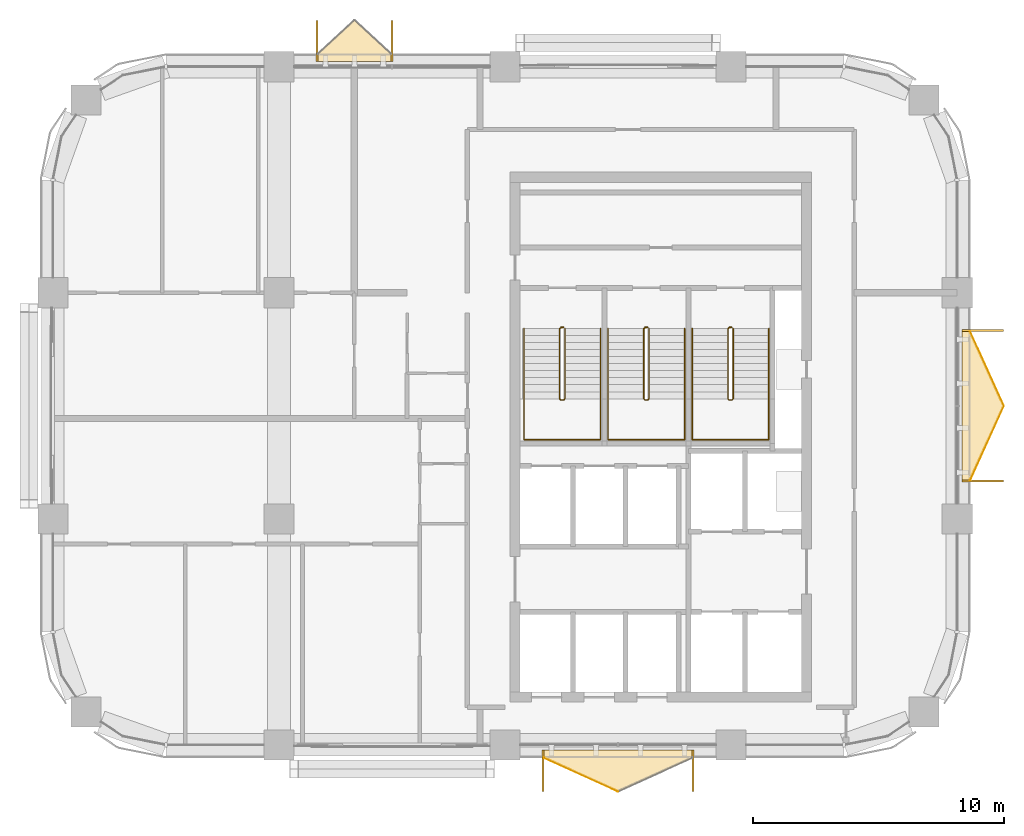
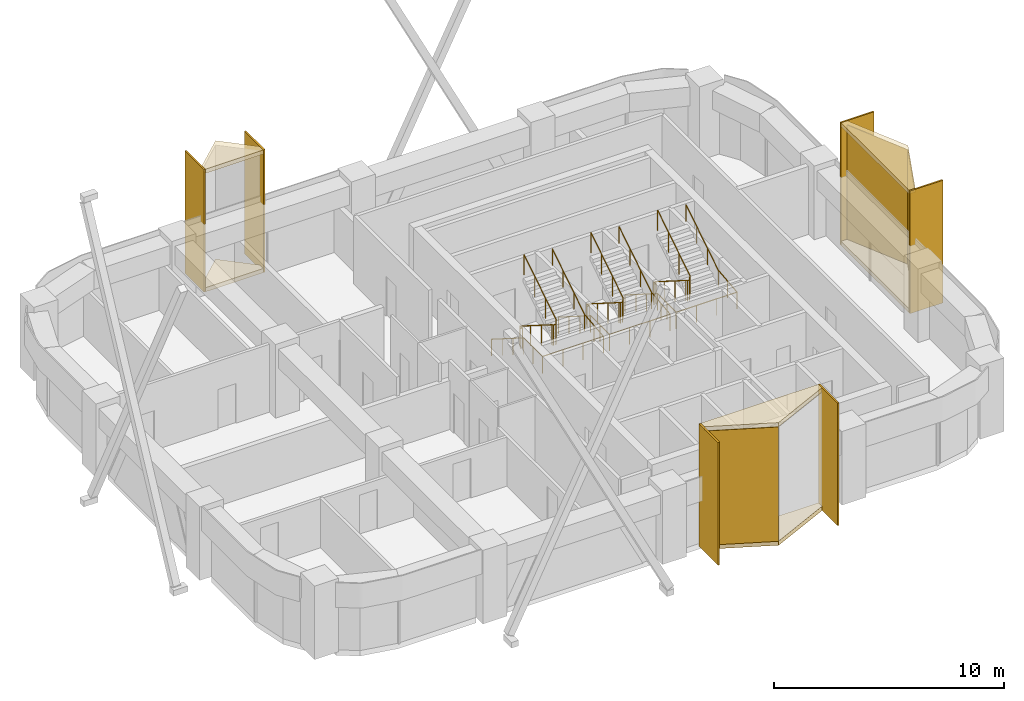
# One storey, part 11 of 11: 15 coverings, 6 railings.
"""IFC4 building model written with IfcOpenShell, lengths in metres."""

from ifc_helpers import new_model, si_unit, direction, frame, origin, origin_2d, place, context, subcontext, project, spatial, polyline, rectangle, circle, outline, extrude, material, layer, layer_set, type_object, element, save


model = new_model("IFC4")

# Units and contexts
model_context = context("Model", 3, precision=1e-05, world=origin(), true_north=direction((0.0, 1.0)))
body_context = subcontext(model_context, "Body", "Model", "MODEL_VIEW")
ifc_project = project(units=[si_unit("LENGTHUNIT", "METRE"), si_unit("AREAUNIT", "SQUARE_METRE"), si_unit("VOLUMEUNIT", "CUBIC_METRE"), si_unit("PLANEANGLEUNIT", "RADIAN"), si_unit("MASSUNIT", "GRAM", prefix="KILO")], contexts=[model_context])

# Site, building, storey
site_placement = place(None, origin())
site = spatial("IfcSite", under=ifc_project, at=site_placement, CompositionType="ELEMENT")
building_placement = place(site_placement, origin())
building = spatial("IfcBuilding", under=site, at=building_placement, Name="Tessera Arch", CompositionType="ELEMENT")
storey_placement = place(building_placement, frame((0.0, 0.0, 250.10009765625)))
storey = spatial("IfcBuildingStorey", under=building, at=storey_placement, Name="L60", CompositionType="ELEMENT", Elevation=250.10009765625)

# Railings
ifc_material_1 = material(Name="Painted steel balustrade", Category="steel")
railing_type_1 = type_object("IfcRailingType", Name="Stair guard 1100", PredefinedType="GUARDRAIL", material=ifc_material_1)
railing_1_placement = place(storey_placement, frame((38.219970703125, 43.6298828125, 0.0)))
element("IfcRailing", 1, at=railing_1_placement, inside=storey, type_object=railing_type_1, Name="L60 S1a stair guard 1", PredefinedType="GUARDRAIL", context=body_context, shape_type="SweptSolid", body=[
    extrude(circle(Radius=0.02392578125, at=origin_2d()), frame((-0.00390625, 0.0, 1.076171875), z_axis=(1.0, 0.0, 0.0), x_axis=(0.0, 1.0, 0.0)), (0.0, 0.0, 1.0), 0.1181640625),
    extrude(circle(Radius=0.02392578125, at=origin_2d()), frame((0.11279296875, 0.000732421875, 1.0732421875), z_axis=(-0.656319048605, -0.204099216335, 0.726353093426), x_axis=(0.296948579431, -0.954893471113, 0.0)), (0.0, 0.0, 1.0), 0.251953125),
    extrude(circle(Radius=0.02392578125, at=origin_2d()), frame((-0.050048828125, -0.04638671875, 1.251220703125), z_axis=(0.0, -0.844908973607, 0.534910110503), x_axis=(1.0, 0.0, 0.0)), (0.0, 0.0, 1.0), 3.322021484375),
    extrude(circle(Radius=0.02392578125, at=origin_2d()), frame((-0.052978515625, -2.846923828125, 3.02587890625), z_axis=(0.707106781187, -0.707106781187, 0.0), x_axis=(0.707106781187, 0.707106781187, 0.0)), (0.0, 0.0, 1.0), 0.078857421875),
    extrude(circle(Radius=0.02392578125, at=origin_2d()), frame((-0.00390625, -2.89990234375, 3.02587890625), z_axis=(1.0, 0.0, 0.0), x_axis=(0.0, 1.0, 0.0)), (0.0, 0.0, 1.0), 0.1181640625),
    extrude(circle(Radius=0.02392578125, at=origin_2d()), frame((0.109130859375, -2.90087890625, 3.022216796875), z_axis=(0.261041864531, 0.262321481514, 0.929001929653), x_axis=(-0.708833529934, 0.705375805398, 0.0)), (0.0, 0.0, 1.0), 0.19873046875),
    extrude(circle(Radius=0.02392578125, at=origin_2d()), frame((0.159912109375, -2.853271484375, 3.201171875), z_axis=(0.0, 0.844908973607, 0.534910110503), x_axis=(-1.0, 0.0, 0.0)), (0.0, 0.0, 1.0), 3.322021484375),
    extrude(circle(Radius=0.02099609375, at=origin_2d()), origin(), (0.0, 0.0, 1.0), 1.06396484375),
    extrude(circle(Radius=0.02099609375, at=origin_2d()), frame((0.110107421875, 0.0, 0.0)), (0.0, 0.0, 1.0), 1.06396484375),
    extrude(circle(Radius=0.02099609375, at=origin_2d()), frame((-0.050048828125, -0.0498046875, 0.17724609375)), (0.0, 0.0, 1.0), 1.06396484375),
    extrude(circle(Radius=0.02099609375, at=origin_2d()), frame((-0.050048828125, -0.983154296875, 0.76806640625)), (0.0, 0.0, 1.0), 1.06396484375),
    extrude(circle(Radius=0.02099609375, at=origin_2d()), frame((-0.050048828125, -1.91650390625, 1.359130859375)), (0.0, 0.0, 1.0), 1.06396484375),
    extrude(circle(Radius=0.02099609375, at=origin_2d()), frame((-0.050048828125, -2.849853515625, 1.949951171875)), (0.0, 0.0, 1.0), 1.06396484375),
    extrude(circle(Radius=0.02099609375, at=origin_2d()), frame((0.0, -2.89990234375, 1.949951171875)), (0.0, 0.0, 1.0), 1.06396484375),
    extrude(circle(Radius=0.02099609375, at=origin_2d()), frame((0.110107421875, -2.89990234375, 1.949951171875)), (0.0, 0.0, 1.0), 1.06396484375),
    extrude(circle(Radius=0.02099609375, at=origin_2d()), frame((0.159912109375, -2.849853515625, 2.127197265625)), (0.0, 0.0, 1.0), 1.06396484375),
    extrude(circle(Radius=0.02099609375, at=origin_2d()), frame((0.159912109375, -1.91650390625, 2.718017578125)), (0.0, 0.0, 1.0), 1.06396484375),
    extrude(circle(Radius=0.02099609375, at=origin_2d()), frame((0.159912109375, -0.983154296875, 3.30908203125)), (0.0, 0.0, 1.0), 1.06396484375),
    extrude(circle(Radius=0.02099609375, at=origin_2d()), frame((0.159912109375, -0.0498046875, 3.89990234375)), (0.0, 0.0, 1.0), 1.06396484375),
])
railing_2_placement = place(storey_placement, frame((41.570068359375, 43.6298828125, 0.0)))
element("IfcRailing", 2, at=railing_2_placement, inside=storey, type_object=railing_type_1, Name="L60 S1b stair guard 1", PredefinedType="GUARDRAIL", context=body_context, shape_type="SweptSolid", body=[
    extrude(circle(Radius=0.02392578125, at=origin_2d()), frame((-0.00390625, 0.0, 1.076171875), z_axis=(1.0, 0.0, 0.0), x_axis=(0.0, 1.0, 0.0)), (0.0, 0.0, 1.0), 0.117919921875),
    extrude(circle(Radius=0.02392578125, at=origin_2d()), frame((0.112548828125, 0.000732421875, 1.0732421875), z_axis=(-0.65574896516, -0.204233265485, 0.726830150696), x_axis=(0.297361876254, -0.954764847777, 0.0)), (0.0, 0.0, 1.0), 0.251953125),
    extrude(circle(Radius=0.02392578125, at=origin_2d()), frame((-0.050048828125, -0.04638671875, 1.251220703125), z_axis=(0.0, -0.844908973607, 0.534910110503), x_axis=(1.0, 0.0, 0.0)), (0.0, 0.0, 1.0), 3.322021484375),
    extrude(circle(Radius=0.02392578125, at=origin_2d()), frame((-0.052978515625, -2.846923828125, 3.02587890625), z_axis=(0.707106781187, -0.707106781187, 0.0), x_axis=(0.707106781187, 0.707106781187, 0.0)), (0.0, 0.0, 1.0), 0.078857421875),
    extrude(circle(Radius=0.02392578125, at=origin_2d()), frame((-0.00390625, -2.89990234375, 3.02587890625), z_axis=(1.0, 0.0, 0.0), x_axis=(0.0, 1.0, 0.0)), (0.0, 0.0, 1.0), 0.117919921875),
    extrude(circle(Radius=0.02392578125, at=origin_2d()), frame((0.10888671875, -2.90087890625, 3.022216796875), z_axis=(0.262233686654, 0.262233686654, 0.928691007369), x_axis=(-0.707106781187, 0.707106781187, 0.0)), (0.0, 0.0, 1.0), 0.198974609375),
    extrude(circle(Radius=0.02392578125, at=origin_2d()), frame((0.159912109375, -2.853271484375, 3.201171875), z_axis=(0.0, 0.844908973607, 0.534910110503), x_axis=(-1.0, 0.0, 0.0)), (0.0, 0.0, 1.0), 3.322021484375),
    extrude(circle(Radius=0.02099609375, at=origin_2d()), origin(), (0.0, 0.0, 1.0), 1.06396484375),
    extrude(circle(Radius=0.02099609375, at=origin_2d()), frame((0.10986328125, 0.0, 0.0)), (0.0, 0.0, 1.0), 1.06396484375),
    extrude(circle(Radius=0.02099609375, at=origin_2d()), frame((-0.050048828125, -0.0498046875, 0.17724609375)), (0.0, 0.0, 1.0), 1.06396484375),
    extrude(circle(Radius=0.02099609375, at=origin_2d()), frame((-0.050048828125, -0.983154296875, 0.76806640625)), (0.0, 0.0, 1.0), 1.06396484375),
    extrude(circle(Radius=0.02099609375, at=origin_2d()), frame((-0.050048828125, -1.91650390625, 1.359130859375)), (0.0, 0.0, 1.0), 1.06396484375),
    extrude(circle(Radius=0.02099609375, at=origin_2d()), frame((-0.050048828125, -2.849853515625, 1.949951171875)), (0.0, 0.0, 1.0), 1.06396484375),
    extrude(circle(Radius=0.02099609375, at=origin_2d()), frame((0.0, -2.89990234375, 1.949951171875)), (0.0, 0.0, 1.0), 1.06396484375),
    extrude(circle(Radius=0.02099609375, at=origin_2d()), frame((0.10986328125, -2.89990234375, 1.949951171875)), (0.0, 0.0, 1.0), 1.06396484375),
    extrude(circle(Radius=0.02099609375, at=origin_2d()), frame((0.159912109375, -2.849853515625, 2.127197265625)), (0.0, 0.0, 1.0), 1.06396484375),
    extrude(circle(Radius=0.02099609375, at=origin_2d()), frame((0.159912109375, -1.91650390625, 2.718017578125)), (0.0, 0.0, 1.0), 1.06396484375),
    extrude(circle(Radius=0.02099609375, at=origin_2d()), frame((0.159912109375, -0.983154296875, 3.30908203125)), (0.0, 0.0, 1.0), 1.06396484375),
    extrude(circle(Radius=0.02099609375, at=origin_2d()), frame((0.159912109375, -0.0498046875, 3.89990234375)), (0.0, 0.0, 1.0), 1.06396484375),
])
railing_3_placement = place(storey_placement, frame((44.919921875, 43.6298828125, 0.0)))
element("IfcRailing", 3, at=railing_3_placement, inside=storey, type_object=railing_type_1, Name="L60 S1c stair guard 1", PredefinedType="GUARDRAIL", context=body_context, shape_type="SweptSolid", body=[
    extrude(circle(Radius=0.02392578125, at=origin_2d()), frame((-0.00390625, 0.0, 1.076171875), z_axis=(1.0, 0.0, 0.0), x_axis=(0.0, 1.0, 0.0)), (0.0, 0.0, 1.0), 0.1181640625),
    extrude(circle(Radius=0.02392578125, at=origin_2d()), frame((0.11279296875, 0.000732421875, 1.0732421875), z_axis=(-0.65574896516, -0.204233265485, 0.726830150696), x_axis=(0.297361876254, -0.954764847777, 0.0)), (0.0, 0.0, 1.0), 0.251953125),
    extrude(circle(Radius=0.02392578125, at=origin_2d()), frame((-0.0498046875, -0.04638671875, 1.251220703125), z_axis=(0.0, -0.844908973607, 0.534910110503), x_axis=(1.0, 0.0, 0.0)), (0.0, 0.0, 1.0), 3.322021484375),
    extrude(circle(Radius=0.02392578125, at=origin_2d()), frame((-0.052734375, -2.846923828125, 3.02587890625), z_axis=(0.705375805398, -0.708833529934, 0.0), x_axis=(0.708833529934, 0.705375805398, 0.0)), (0.0, 0.0, 1.0), 0.07861328125),
    extrude(circle(Radius=0.02392578125, at=origin_2d()), frame((-0.00390625, -2.89990234375, 3.02587890625), z_axis=(1.0, 0.0, 0.0), x_axis=(0.0, 1.0, 0.0)), (0.0, 0.0, 1.0), 0.1181640625),
    extrude(circle(Radius=0.02392578125, at=origin_2d()), frame((0.109130859375, -2.90087890625, 3.022216796875), z_axis=(0.262233686654, 0.262233686654, 0.928691007369), x_axis=(-0.707106781187, 0.707106781187, 0.0)), (0.0, 0.0, 1.0), 0.198974609375),
    extrude(circle(Radius=0.02392578125, at=origin_2d()), frame((0.16015625, -2.853271484375, 3.201171875), z_axis=(0.0, 0.844908973607, 0.534910110503), x_axis=(-1.0, 0.0, 0.0)), (0.0, 0.0, 1.0), 3.322021484375),
    extrude(circle(Radius=0.02099609375, at=origin_2d()), origin(), (0.0, 0.0, 1.0), 1.06396484375),
    extrude(circle(Radius=0.02099609375, at=origin_2d()), frame((0.110107421875, 0.0, 0.0)), (0.0, 0.0, 1.0), 1.06396484375),
    extrude(circle(Radius=0.02099609375, at=origin_2d()), frame((-0.0498046875, -0.0498046875, 0.17724609375)), (0.0, 0.0, 1.0), 1.06396484375),
    extrude(circle(Radius=0.02099609375, at=origin_2d()), frame((-0.0498046875, -0.983154296875, 0.76806640625)), (0.0, 0.0, 1.0), 1.06396484375),
    extrude(circle(Radius=0.02099609375, at=origin_2d()), frame((-0.0498046875, -1.91650390625, 1.359130859375)), (0.0, 0.0, 1.0), 1.06396484375),
    extrude(circle(Radius=0.02099609375, at=origin_2d()), frame((-0.0498046875, -2.849853515625, 1.949951171875)), (0.0, 0.0, 1.0), 1.06396484375),
    extrude(circle(Radius=0.02099609375, at=origin_2d()), frame((0.0, -2.89990234375, 1.949951171875)), (0.0, 0.0, 1.0), 1.06396484375),
    extrude(circle(Radius=0.02099609375, at=origin_2d()), frame((0.110107421875, -2.89990234375, 1.949951171875)), (0.0, 0.0, 1.0), 1.06396484375),
    extrude(circle(Radius=0.02099609375, at=origin_2d()), frame((0.16015625, -2.849853515625, 2.127197265625)), (0.0, 0.0, 1.0), 1.06396484375),
    extrude(circle(Radius=0.02099609375, at=origin_2d()), frame((0.16015625, -1.91650390625, 2.718017578125)), (0.0, 0.0, 1.0), 1.06396484375),
    extrude(circle(Radius=0.02099609375, at=origin_2d()), frame((0.16015625, -0.983154296875, 3.30908203125)), (0.0, 0.0, 1.0), 1.06396484375),
    extrude(circle(Radius=0.02099609375, at=origin_2d()), frame((0.16015625, -0.0498046875, 3.89990234375)), (0.0, 0.0, 1.0), 1.06396484375),
])
ifc_material_2 = material(Name="Painted steel handrail", Category="steel")
railing_type_2 = type_object("IfcRailingType", Name="Stair handrail 900", PredefinedType="HANDRAIL", material=ifc_material_2)
railing_4_placement = place(storey_placement, frame((36.75, 43.580078125, 0.17724609375)))
element("IfcRailing", 4, at=railing_4_placement, inside=storey, type_object=railing_type_2, Name="L60 S1a stair handrail", PredefinedType="HANDRAIL", context=body_context, shape_type="SweptSolid", body=[
    extrude(circle(Radius=0.02392578125, at=origin_2d()), frame((0.0, 0.00341796875, 0.873779296875), z_axis=(0.0, -0.844908973607, 0.534910110503), x_axis=(1.0, 0.0, 0.0)), (0.0, 0.0, 1.0), 3.322021484375),
    extrude(circle(Radius=0.02392578125, at=origin_2d()), frame((0.0, -2.796142578125, 2.6484375), z_axis=(0.0, -1.0, 0.0), x_axis=(1.0, 0.0, 0.0)), (0.0, 0.0, 1.0), 1.63818359375),
    extrude(circle(Radius=0.02392578125, at=origin_2d()), frame((-0.00390625, -4.43017578125, 2.6484375), z_axis=(1.0, 0.0, 0.0), x_axis=(0.0, 1.0, 0.0)), (0.0, 0.0, 1.0), 3.05810546875),
    extrude(circle(Radius=0.02392578125, at=origin_2d()), frame((3.050048828125, -4.43408203125, 2.648193359375), z_axis=(0.0, 0.994140637614, 0.108094369164), x_axis=(-1.0, 0.0, 0.0)), (0.0, 0.0, 1.0), 1.647705078125),
    extrude(circle(Radius=0.02392578125, at=origin_2d()), frame((3.050048828125, -2.803466796875, 2.82373046875), z_axis=(0.0, 0.844908973607, 0.534910110503), x_axis=(-1.0, 0.0, 0.0)), (0.0, 0.0, 1.0), 3.322021484375),
    extrude(circle(Radius=0.02099609375, at=origin_2d()), origin(), (0.0, 0.0, 1.0), 0.86376953125),
    extrude(circle(Radius=0.02099609375, at=origin_2d()), frame((0.0, -0.933349609375, 0.5908203125)), (0.0, 0.0, 1.0), 0.86376953125),
    extrude(circle(Radius=0.02099609375, at=origin_2d()), frame((0.0, -1.86669921875, 1.181884765625)), (0.0, 0.0, 1.0), 0.86376953125),
    extrude(circle(Radius=0.02099609375, at=origin_2d()), frame((0.0, -2.800048828125, 1.772705078125)), (0.0, 0.0, 1.0), 0.86376953125),
    extrude(circle(Radius=0.02099609375, at=origin_2d()), frame((0.0, -3.615234375, 1.772705078125)), (0.0, 0.0, 1.0), 0.86376953125),
    extrude(circle(Radius=0.02099609375, at=origin_2d()), frame((0.0, -4.43017578125, 1.772705078125)), (0.0, 0.0, 1.0), 0.86376953125),
    extrude(circle(Radius=0.02099609375, at=origin_2d()), frame((1.0166015625, -4.43017578125, 1.772705078125)), (0.0, 0.0, 1.0), 0.86376953125),
    extrude(circle(Radius=0.02099609375, at=origin_2d()), frame((2.033447265625, -4.43017578125, 1.772705078125)), (0.0, 0.0, 1.0), 0.86376953125),
    extrude(circle(Radius=0.02099609375, at=origin_2d()), frame((3.050048828125, -4.43017578125, 1.772705078125)), (0.0, 0.0, 1.0), 0.86376953125),
    extrude(circle(Radius=0.02099609375, at=origin_2d()), frame((3.050048828125, -3.615234375, 1.861328125)), (0.0, 0.0, 1.0), 0.86376953125),
    extrude(circle(Radius=0.02099609375, at=origin_2d()), frame((3.050048828125, -2.800048828125, 1.949951171875)), (0.0, 0.0, 1.0), 0.86376953125),
    extrude(circle(Radius=0.02099609375, at=origin_2d()), frame((3.050048828125, -1.86669921875, 2.540771484375)), (0.0, 0.0, 1.0), 0.86376953125),
    extrude(circle(Radius=0.02099609375, at=origin_2d()), frame((3.050048828125, -0.933349609375, 3.1318359375)), (0.0, 0.0, 1.0), 0.86376953125),
    extrude(circle(Radius=0.02099609375, at=origin_2d()), frame((3.050048828125, 0.0, 3.72265625)), (0.0, 0.0, 1.0), 0.86376953125),
])
railing_5_placement = place(storey_placement, frame((40.10009765625, 43.580078125, 0.17724609375)))
element("IfcRailing", 5, at=railing_5_placement, inside=storey, type_object=railing_type_2, Name="L60 S1b stair handrail", PredefinedType="HANDRAIL", context=body_context, shape_type="SweptSolid", body=[
    extrude(circle(Radius=0.02392578125, at=origin_2d()), frame((0.0, 0.00341796875, 0.873779296875), z_axis=(0.0, -0.844908973607, 0.534910110503), x_axis=(1.0, 0.0, 0.0)), (0.0, 0.0, 1.0), 3.322021484375),
    extrude(circle(Radius=0.02392578125, at=origin_2d()), frame((0.0, -2.796142578125, 2.6484375), z_axis=(0.0, -1.0, 0.0), x_axis=(1.0, 0.0, 0.0)), (0.0, 0.0, 1.0), 1.63818359375),
    extrude(circle(Radius=0.02392578125, at=origin_2d()), frame((-0.00390625, -4.43017578125, 2.6484375), z_axis=(1.0, 0.0, 0.0), x_axis=(0.0, 1.0, 0.0)), (0.0, 0.0, 1.0), 3.057861328125),
    extrude(circle(Radius=0.02392578125, at=origin_2d()), frame((3.0498046875, -4.43408203125, 2.648193359375), z_axis=(0.0, 0.994140637614, 0.108094369164), x_axis=(-1.0, 0.0, 0.0)), (0.0, 0.0, 1.0), 1.647705078125),
    extrude(circle(Radius=0.02392578125, at=origin_2d()), frame((3.0498046875, -2.803466796875, 2.82373046875), z_axis=(0.0, 0.844908973607, 0.534910110503), x_axis=(-1.0, 0.0, 0.0)), (0.0, 0.0, 1.0), 3.322021484375),
    extrude(circle(Radius=0.02099609375, at=origin_2d()), origin(), (0.0, 0.0, 1.0), 0.86376953125),
    extrude(circle(Radius=0.02099609375, at=origin_2d()), frame((0.0, -0.933349609375, 0.5908203125)), (0.0, 0.0, 1.0), 0.86376953125),
    extrude(circle(Radius=0.02099609375, at=origin_2d()), frame((0.0, -1.86669921875, 1.181884765625)), (0.0, 0.0, 1.0), 0.86376953125),
    extrude(circle(Radius=0.02099609375, at=origin_2d()), frame((0.0, -2.800048828125, 1.772705078125)), (0.0, 0.0, 1.0), 0.86376953125),
    extrude(circle(Radius=0.02099609375, at=origin_2d()), frame((0.0, -3.615234375, 1.772705078125)), (0.0, 0.0, 1.0), 0.86376953125),
    extrude(circle(Radius=0.02099609375, at=origin_2d()), frame((0.0, -4.43017578125, 1.772705078125)), (0.0, 0.0, 1.0), 0.86376953125),
    extrude(circle(Radius=0.02099609375, at=origin_2d()), frame((1.0166015625, -4.43017578125, 1.772705078125)), (0.0, 0.0, 1.0), 0.86376953125),
    extrude(circle(Radius=0.02099609375, at=origin_2d()), frame((2.033203125, -4.43017578125, 1.772705078125)), (0.0, 0.0, 1.0), 0.86376953125),
    extrude(circle(Radius=0.02099609375, at=origin_2d()), frame((3.0498046875, -4.43017578125, 1.772705078125)), (0.0, 0.0, 1.0), 0.86376953125),
    extrude(circle(Radius=0.02099609375, at=origin_2d()), frame((3.0498046875, -3.615234375, 1.861328125)), (0.0, 0.0, 1.0), 0.86376953125),
    extrude(circle(Radius=0.02099609375, at=origin_2d()), frame((3.0498046875, -2.800048828125, 1.949951171875)), (0.0, 0.0, 1.0), 0.86376953125),
    extrude(circle(Radius=0.02099609375, at=origin_2d()), frame((3.0498046875, -1.86669921875, 2.540771484375)), (0.0, 0.0, 1.0), 0.86376953125),
    extrude(circle(Radius=0.02099609375, at=origin_2d()), frame((3.0498046875, -0.933349609375, 3.1318359375)), (0.0, 0.0, 1.0), 0.86376953125),
    extrude(circle(Radius=0.02099609375, at=origin_2d()), frame((3.0498046875, 0.0, 3.72265625)), (0.0, 0.0, 1.0), 0.86376953125),
])
railing_6_placement = place(storey_placement, frame((43.449951171875, 43.580078125, 0.17724609375)))
element("IfcRailing", 6, at=railing_6_placement, inside=storey, type_object=railing_type_2, Name="L60 S1c stair handrail", PredefinedType="HANDRAIL", context=body_context, shape_type="SweptSolid", body=[
    extrude(circle(Radius=0.02392578125, at=origin_2d()), frame((0.0, 0.00341796875, 0.873779296875), z_axis=(0.0, -0.844908973607, 0.534910110503), x_axis=(1.0, 0.0, 0.0)), (0.0, 0.0, 1.0), 3.322021484375),
    extrude(circle(Radius=0.02392578125, at=origin_2d()), frame((0.0, -2.796142578125, 2.6484375), z_axis=(0.0, -1.0, 0.0), x_axis=(1.0, 0.0, 0.0)), (0.0, 0.0, 1.0), 1.63818359375),
    extrude(circle(Radius=0.02392578125, at=origin_2d()), frame((-0.00390625, -4.43017578125, 2.6484375), z_axis=(1.0, 0.0, 0.0), x_axis=(0.0, 1.0, 0.0)), (0.0, 0.0, 1.0), 3.05810546875),
    extrude(circle(Radius=0.02392578125, at=origin_2d()), frame((3.050048828125, -4.43408203125, 2.648193359375), z_axis=(0.0, 0.994140637614, 0.108094369164), x_axis=(-1.0, 0.0, 0.0)), (0.0, 0.0, 1.0), 1.647705078125),
    extrude(circle(Radius=0.02392578125, at=origin_2d()), frame((3.050048828125, -2.803466796875, 2.82373046875), z_axis=(0.0, 0.844908973607, 0.534910110503), x_axis=(-1.0, 0.0, 0.0)), (0.0, 0.0, 1.0), 3.322021484375),
    extrude(circle(Radius=0.02099609375, at=origin_2d()), origin(), (0.0, 0.0, 1.0), 0.86376953125),
    extrude(circle(Radius=0.02099609375, at=origin_2d()), frame((0.0, -0.933349609375, 0.5908203125)), (0.0, 0.0, 1.0), 0.86376953125),
    extrude(circle(Radius=0.02099609375, at=origin_2d()), frame((0.0, -1.86669921875, 1.181884765625)), (0.0, 0.0, 1.0), 0.86376953125),
    extrude(circle(Radius=0.02099609375, at=origin_2d()), frame((0.0, -2.800048828125, 1.772705078125)), (0.0, 0.0, 1.0), 0.86376953125),
    extrude(circle(Radius=0.02099609375, at=origin_2d()), frame((0.0, -3.615234375, 1.772705078125)), (0.0, 0.0, 1.0), 0.86376953125),
    extrude(circle(Radius=0.02099609375, at=origin_2d()), frame((0.0, -4.43017578125, 1.772705078125)), (0.0, 0.0, 1.0), 0.86376953125),
    extrude(circle(Radius=0.02099609375, at=origin_2d()), frame((1.0166015625, -4.43017578125, 1.772705078125)), (0.0, 0.0, 1.0), 0.86376953125),
    extrude(circle(Radius=0.02099609375, at=origin_2d()), frame((2.033447265625, -4.43017578125, 1.772705078125)), (0.0, 0.0, 1.0), 0.86376953125),
    extrude(circle(Radius=0.02099609375, at=origin_2d()), frame((3.050048828125, -4.43017578125, 1.772705078125)), (0.0, 0.0, 1.0), 0.86376953125),
    extrude(circle(Radius=0.02099609375, at=origin_2d()), frame((3.050048828125, -3.615234375, 1.861328125)), (0.0, 0.0, 1.0), 0.86376953125),
    extrude(circle(Radius=0.02099609375, at=origin_2d()), frame((3.050048828125, -2.800048828125, 1.949951171875)), (0.0, 0.0, 1.0), 0.86376953125),
    extrude(circle(Radius=0.02099609375, at=origin_2d()), frame((3.050048828125, -1.86669921875, 2.540771484375)), (0.0, 0.0, 1.0), 0.86376953125),
    extrude(circle(Radius=0.02099609375, at=origin_2d()), frame((3.050048828125, -0.933349609375, 3.1318359375)), (0.0, 0.0, 1.0), 0.86376953125),
    extrude(circle(Radius=0.02099609375, at=origin_2d()), frame((3.050048828125, 0.0, 3.72265625)), (0.0, 0.0, 1.0), 0.86376953125),
])

# Coverings
ifc_material_3 = material(Name="Anodised aluminium pale metal", Category="aluminium")
ifc_layer_1 = layer(ifc_material_3, 0.080078125)
ifc_layer_set_1 = layer_set([ifc_layer_1], Name="Window box cheek")
covering_type_1 = type_object("IfcCoveringType", Name="Window box cheek", PredefinedType="CLADDING", material=ifc_layer_set_1)
covering_1_placement = place(storey_placement, origin())
element("IfcCovering", 7, at=covering_1_placement, inside=storey, type_object=covering_type_1, Name="Window box N54.18/2.1 1x2 cheek", PredefinedType="CLADDING", context=body_context, shape_type="SweptSolid", body=[
    extrude(outline(polyline([(31.530029296875, 55.85009765625), (31.449951171875, 55.85009765625), (31.449951171875, 54.199951171875), (31.530029296875, 54.199951171875), (31.530029296875, 55.85009765625)])), origin(), (0.0, 0.0, 1.0), 6.5),
])
covering_2_placement = place(storey_placement, origin())
element("IfcCovering", 8, at=covering_2_placement, inside=storey, type_object=covering_type_1, Name="Window box N54.18/2.1 1x2 cheek", PredefinedType="CLADDING", context=body_context, shape_type="SweptSolid", body=[
    extrude(outline(polyline([(28.550048828125, 55.85009765625), (28.469970703125, 55.85009765625), (28.469970703125, 54.199951171875), (28.550048828125, 54.199951171875), (28.550048828125, 55.85009765625)])), origin(), (0.0, 0.0, 1.0), 6.5),
])
covering_3_placement = place(storey_placement, origin())
element("IfcCovering", 9, at=covering_3_placement, inside=storey, type_object=covering_type_1, Name="Window box S27.18/2.0 2x2 cheek", PredefinedType="CLADDING", context=body_context, shape_type="SweptSolid", body=[
    extrude(outline(polyline([(37.469970703125, 25.14990234375), (37.550048828125, 25.14990234375), (37.550048828125, 26.800048828125), (37.469970703125, 26.800048828125), (37.469970703125, 25.14990234375)])), origin(), (0.0, 0.0, 1.0), 6.5),
])
covering_4_placement = place(storey_placement, origin())
element("IfcCovering", 10, at=covering_4_placement, inside=storey, type_object=covering_type_1, Name="Window box S27.18/2.0 2x2 cheek", PredefinedType="CLADDING", context=body_context, shape_type="SweptSolid", body=[
    extrude(outline(polyline([(43.449951171875, 25.14990234375), (43.530029296875, 25.14990234375), (43.530029296875, 26.800048828125), (43.449951171875, 26.800048828125), (43.449951171875, 25.14990234375)])), origin(), (0.0, 0.0, 1.0), 6.5),
])
covering_5_placement = place(storey_placement, origin())
element("IfcCovering", 11, at=covering_5_placement, inside=storey, type_object=covering_type_1, Name="Window box E54.27/0.0 2x2 cheek", PredefinedType="CLADDING", context=body_context, shape_type="SweptSolid", body=[
    extrude(outline(polyline([(55.85009765625, 37.469970703125), (55.85009765625, 37.550048828125), (54.199951171875, 37.550048828125), (54.199951171875, 37.469970703125), (55.85009765625, 37.469970703125)])), origin(), (0.0, 0.0, 1.0), 6.5),
])
covering_6_placement = place(storey_placement, origin())
element("IfcCovering", 12, at=covering_6_placement, inside=storey, type_object=covering_type_1, Name="Window box E54.27/0.0 2x2 cheek", PredefinedType="CLADDING", context=body_context, shape_type="SweptSolid", body=[
    extrude(outline(polyline([(55.85009765625, 43.449951171875), (55.85009765625, 43.530029296875), (54.199951171875, 43.530029296875), (54.199951171875, 43.449951171875), (55.85009765625, 43.449951171875)])), origin(), (0.0, 0.0, 1.0), 6.5),
])
ifc_material_4 = material(Name="Anodised aluminium gold", Category="aluminium")
ifc_layer_2 = layer(ifc_material_4, 0.219970703125)
ifc_layer_set_2 = layer_set([ifc_layer_2], Name="Window box frame plate gold")
covering_type_2 = type_object("IfcCoveringType", Name="Window box frame plate gold", PredefinedType="CLADDING", material=ifc_layer_set_2)
covering_7_placement = place(storey_placement, origin())
element("IfcCovering", 13, at=covering_7_placement, inside=storey, type_object=covering_type_2, Name="Window box S27.18/2.0 2x2 floor", PredefinedType="CLADDING", context=body_context, shape_type="SweptSolid", body=[
    extrude(outline(polyline([(37.550048828125, 26.489990234375), (40.5, 25.14990234375), (43.449951171875, 26.489990234375), (43.449951171875, 26.800048828125), (37.550048828125, 26.800048828125), (37.550048828125, 26.489990234375)])), origin(), (0.0, 0.0, 1.0), 0.219970703125),
])
covering_8_placement = place(storey_placement, frame((0.0, 0.0, 6.27978515625)))
element("IfcCovering", 14, at=covering_8_placement, inside=storey, type_object=covering_type_2, Name="Window box S27.18/2.0 2x2 roof", PredefinedType="CLADDING", context=body_context, shape_type="SweptSolid", body=[
    extrude(outline(polyline([(37.550048828125, 26.489990234375), (40.5, 25.14990234375), (43.449951171875, 26.489990234375), (43.449951171875, 26.800048828125), (37.550048828125, 26.800048828125), (37.550048828125, 26.489990234375)])), origin(), (0.0, 0.0, 1.0), 0.22021484375),
])
ifc_material_5 = material(Name="Anodised aluminium pale metal", Category="aluminium")
ifc_layer_3 = layer(ifc_material_5, 0.219970703125)
ifc_layer_set_3 = layer_set([ifc_layer_3], Name="Window box frame plate pale metal")
covering_type_3 = type_object("IfcCoveringType", Name="Window box frame plate pale metal", PredefinedType="CLADDING", material=ifc_layer_set_3)
covering_9_placement = place(storey_placement, origin())
element("IfcCovering", 15, at=covering_9_placement, inside=storey, type_object=covering_type_3, Name="Window box E54.27/0.0 2x2 floor", PredefinedType="CLADDING", context=body_context, shape_type="SweptSolid", body=[
    extrude(outline(polyline([(54.510009765625, 37.550048828125), (55.85009765625, 40.5), (54.510009765625, 43.449951171875), (54.199951171875, 43.449951171875), (54.199951171875, 37.550048828125), (54.510009765625, 37.550048828125)])), origin(), (0.0, 0.0, 1.0), 0.219970703125),
])
covering_10_placement = place(storey_placement, frame((0.0, 0.0, 6.27978515625)))
element("IfcCovering", 16, at=covering_10_placement, inside=storey, type_object=covering_type_3, Name="Window box E54.27/0.0 2x2 roof", PredefinedType="CLADDING", context=body_context, shape_type="SweptSolid", body=[
    extrude(outline(polyline([(54.510009765625, 37.550048828125), (55.85009765625, 40.5), (54.510009765625, 43.449951171875), (54.199951171875, 43.449951171875), (54.199951171875, 37.550048828125), (54.510009765625, 37.550048828125)])), origin(), (0.0, 0.0, 1.0), 0.22021484375),
])
ifc_material_6 = material(Name="Anodised aluminium turquoise", Category="aluminium")
ifc_layer_4 = layer(ifc_material_6, 0.219970703125)
ifc_layer_set_4 = layer_set([ifc_layer_4], Name="Window box frame plate turquoise")
covering_type_4 = type_object("IfcCoveringType", Name="Window box frame plate turquoise", PredefinedType="CLADDING", material=ifc_layer_set_4)
covering_11_placement = place(storey_placement, origin())
element("IfcCovering", 17, at=covering_11_placement, inside=storey, type_object=covering_type_4, Name="Window box N54.18/2.1 1x2 floor", PredefinedType="CLADDING", context=body_context, shape_type="SweptSolid", body=[
    extrude(outline(polyline([(31.449951171875, 54.510009765625), (30.0, 55.85009765625), (28.550048828125, 54.510009765625), (28.550048828125, 54.199951171875), (31.449951171875, 54.199951171875), (31.449951171875, 54.510009765625)])), origin(), (0.0, 0.0, 1.0), 0.219970703125),
])
covering_12_placement = place(storey_placement, frame((0.0, 0.0, 6.27978515625)))
element("IfcCovering", 18, at=covering_12_placement, inside=storey, type_object=covering_type_4, Name="Window box N54.18/2.1 1x2 roof", PredefinedType="CLADDING", context=body_context, shape_type="SweptSolid", body=[
    extrude(outline(polyline([(31.449951171875, 54.510009765625), (30.0, 55.85009765625), (28.550048828125, 54.510009765625), (28.550048828125, 54.199951171875), (31.449951171875, 54.199951171875), (31.449951171875, 54.510009765625)])), origin(), (0.0, 0.0, 1.0), 0.22021484375),
])
ifc_material_7 = material(Name="Anodised aluminium pale metal", Category="aluminium")
ifc_layer_5 = layer(ifc_material_7, 0.028076171875)
ifc_layer_set_5 = layer_set([ifc_layer_5], Name="Window box side panel")
covering_type_5 = type_object("IfcCoveringType", Name="Window box side panel", PredefinedType="CLADDING", material=ifc_layer_set_5)
for number, where, z_axis, x_axis, name in (
    (19, (39.02490234375, 25.820068359375, 0.219970703125), (0.0, 0.0, 1.0), (0.910472144558, -0.413570397858, 0.0), "Window box S27.18/2.0 2x2 side panel"),
    (20, (55.179931640625, 39.02490234375, 0.219970703125), (0.0, 0.0, 1.0), (0.413570397858, 0.910472144558, 0.0), "Window box E54.27/0.0 2x2 side panel"),
    (21, (55.179931640625, 41.97509765625, 0.219970703125), (0.0, 0.0, 1.0), (0.413570397858, -0.910472144558, 0.0), "Window box E54.27/0.0 2x2 side panel"),
):
    element("IfcCovering", number, at=place(storey_placement, frame(where, z_axis=z_axis, x_axis=x_axis)), inside=storey, type_object=covering_type_5, Name=name, PredefinedType="CLADDING", context=body_context, shape_type="SweptSolid", body=[
        extrude(rectangle(XDim=3.239990234375, YDim=0.028076171875, at=origin_2d()), origin(), (0.0, 0.0, 1.0), 6.06005859375),
    ])

save(model, "model.ifc")
